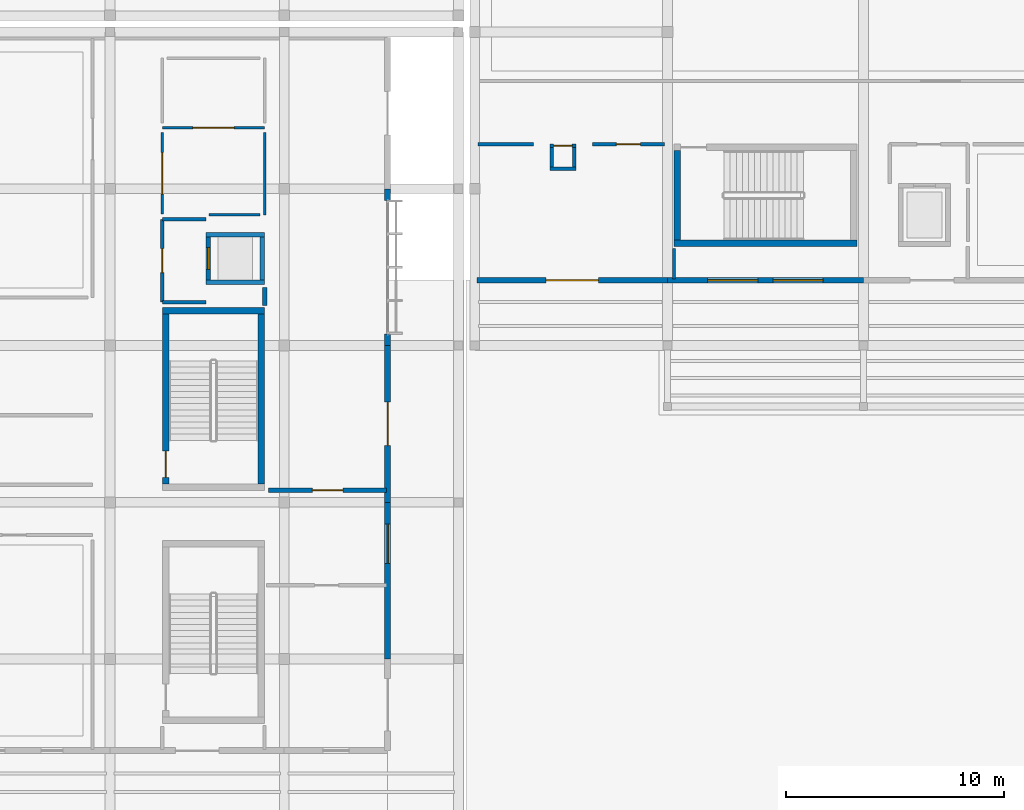
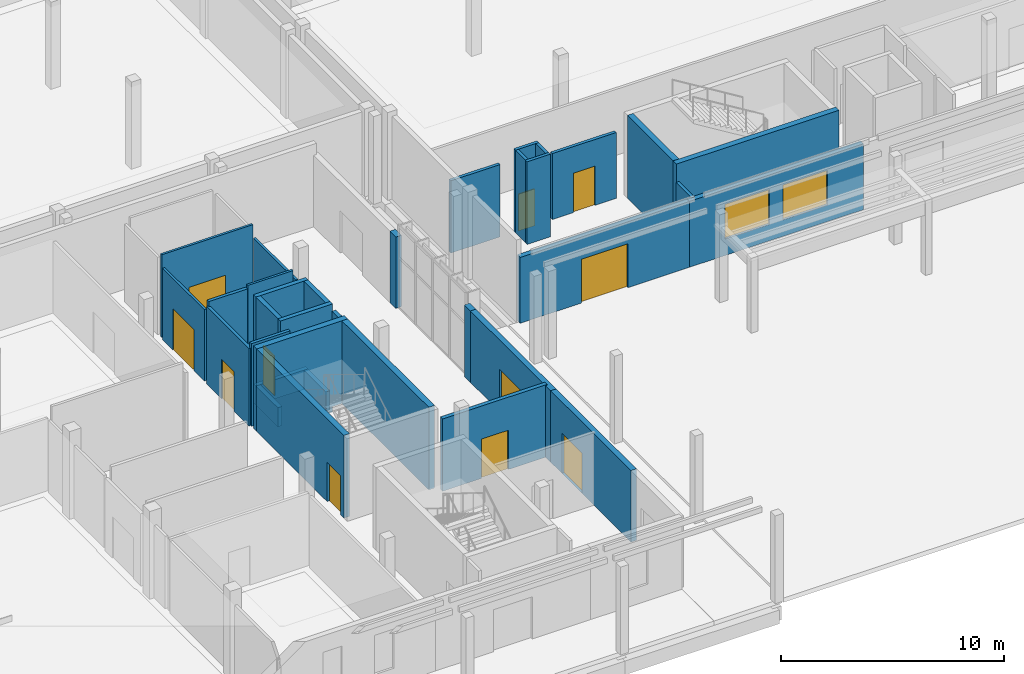
# One storey, part 116 of 151: 35 walls, 11 doors, 2 windows, 13 openings.
"""IFC4 building model written with IfcOpenShell, lengths in metres."""

from ifc_helpers import new_model, si_unit, direction, frame, frame_2d, origin, place, context, subcontext, project, spatial, rectangle, extrude, material, layer, layer_set, type_object, element, fill, save


model = new_model("IFC4")

# Units and contexts
model_context = context("Model", 3, precision=1e-05, world=origin(), true_north=direction((0.0, 1.0)))
body_context = subcontext(model_context, "Body", "Model", "MODEL_VIEW")
ifc_project = project(units=[si_unit("LENGTHUNIT", "METRE"), si_unit("AREAUNIT", "SQUARE_METRE"), si_unit("VOLUMEUNIT", "CUBIC_METRE"), si_unit("PLANEANGLEUNIT", "RADIAN"), si_unit("MASSUNIT", "GRAM", prefix="KILO")], contexts=[model_context])

# Site, building, storey
site_placement = place(None, origin())
site = spatial("IfcSite", under=ifc_project, at=site_placement, CompositionType="ELEMENT")
building_placement = place(site_placement, origin())
building = spatial("IfcBuilding", under=site, at=building_placement, Name="Chiffa Square Polytechnic", CompositionType="ELEMENT")
storey_placement = place(building_placement, origin())
storey = spatial("IfcBuildingStorey", under=building, at=storey_placement, Name="L00", CompositionType="ELEMENT", Elevation=0.0)

# Wall
ifc_material_1 = material(Name="Concrete C40/50", Category="concrete")
ifc_layer_1 = layer(ifc_material_1, 0.300048828125, Name="Concrete C40/50")
ifc_layer_set_1 = layer_set([ifc_layer_1], Name="Concrete C40/50")
wall_type_1 = type_object("IfcWallType", Name="WL-CORE-300", PredefinedType="SHEAR", material=ifc_layer_set_1)
wall_1_placement = place(storey_placement, frame((34.39990234375, 23.199951171875, 0.0), z_axis=(0.0, 0.0, 1.0), x_axis=(1.0, 0.0, 0.0)))
element("IfcWall", 1, at=wall_1_placement, inside=storey, type_object=wall_type_1, Name="Core or enclosure wall WC-CORE-V3B-L00-NORTH", PredefinedType="SHEAR", context=body_context, shape_type="SweptSolid", body=[
    extrude(rectangle(XDim=4.7001953125, YDim=0.300048828125, at=frame_2d((2.35009765625, 0.0))), origin(), (0.0, 0.0, 1.0), 4.52001953125),
])

# Wall, opening, door
wall_2_placement = place(storey_placement, frame((34.550048828125, 15.25, 0.0), z_axis=(0.0, 0.0, 1.0), x_axis=(0.0, 1.0, 0.0)))
wall_2 = element("IfcWall", 2, at=wall_2_placement, inside=storey, type_object=wall_type_1, Name="Core or enclosure wall WC-CORE-V3B-L00-WEST", PredefinedType="SHEAR", context=body_context, shape_type="SweptSolid", body=[
    extrude(rectangle(XDim=7.800048828125, YDim=0.300048828125, at=frame_2d((3.89990234375, 0.0))), origin(), (0.0, 0.0, 1.0), 4.52001953125),
])
opening_1_placement = place(wall_2_placement, frame((0.300048828125, 0.0, 0.0)))
opening_1 = element("IfcOpeningElement", 3, at=opening_1_placement, cuts=wall_2, Name="Opening DS-L00-024", PredefinedType="OPENING", context=body_context, shape_type="SweptSolid", body=[
    extrude(rectangle(XDim=1.199951171875, YDim=2.14990234375, at=frame_2d((0.60009765625, 1.074951171875))), frame((0.0, 0.16015625, 0.0), z_axis=(0.0, -1.0, 0.0), x_axis=(1.0, 0.0, 0.0)), (0.0, 0.0, 1.0), 0.320068359375),
])
ifc_material_2 = material(Name="Fire-rated painted steel leaf", Category="steel")
door_type_1 = type_object("IfcDoorType", Name="DR-STAIR-1200", OperationType="NOTDEFINED", PredefinedType="DOOR", material=ifc_material_2)
door_1_placement = place(opening_1_placement, origin())
door_1 = element("IfcDoor", 4, at=door_1_placement, inside=storey, type_object=door_type_1, Name="Enclosure door DS-L00-024", OperationType="SINGLE_SWING_RIGHT", OverallHeight=2.14990234375, OverallWidth=1.199951171875, PredefinedType="DOOR", context=body_context, shape_type="SweptSolid", body=[
    extrude(rectangle(XDim=1.199951171875, YDim=2.14990234375, at=frame_2d((0.60009765625, 1.074951171875))), frame((0.0, 0.02490234375, 0.0), z_axis=(0.0, -1.0, 0.0), x_axis=(1.0, 0.0, 0.0)), (0.0, 0.0, 1.0), 0.050048828125),
])
fill(opening_1, door_1)

# Walls
wall_3_placement = place(storey_placement, frame((38.949951171875, 15.25, 0.0), z_axis=(0.0, 0.0, 1.0), x_axis=(0.0, 1.0, 0.0)))
element("IfcWall", 5, at=wall_3_placement, inside=storey, type_object=wall_type_1, Name="Core or enclosure wall WC-CORE-V3B-L00-EAST", PredefinedType="SHEAR", context=body_context, shape_type="SweptSolid", body=[
    extrude(rectangle(XDim=7.800048828125, YDim=0.300048828125, at=frame_2d((3.89990234375, 0.0))), origin(), (0.0, 0.0, 1.0), 4.52001953125),
])
wall_4_placement = place(storey_placement, frame((57.89990234375, 26.300048828125, 0.0), z_axis=(0.0, 0.0, 1.0), x_axis=(1.0, 0.0, 0.0)))
element("IfcWall", 6, at=wall_4_placement, inside=storey, type_object=wall_type_1, Name="Core or enclosure wall WC-CORE-V4A-L00-SOUTH", PredefinedType="SHEAR", context=body_context, shape_type="SweptSolid", body=[
    extrude(rectangle(XDim=8.400146484375, YDim=0.300048828125, at=frame_2d((4.2001953125, 0.0))), origin(), (0.0, 0.0, 1.0), 4.52001953125),
])
wall_5_placement = place(storey_placement, frame((58.050048828125, 26.449951171875, 0.0), z_axis=(0.0, 0.0, 1.0), x_axis=(0.0, 1.0, 0.0)))
element("IfcWall", 7, at=wall_5_placement, inside=storey, type_object=wall_type_1, Name="Core or enclosure wall WC-CORE-V4A-L00-WEST", PredefinedType="SHEAR", context=body_context, shape_type="SweptSolid", body=[
    extrude(rectangle(XDim=4.10009765625, YDim=0.300048828125, at=frame_2d((2.050048828125, 0.0))), origin(), (0.0, 0.0, 1.0), 4.52001953125),
])

# Wall, opening, door
ifc_material_3 = material(Name="Precast concrete C40/50", Category="concrete")
ifc_layer_2 = layer(ifc_material_3, 0.260009765625, Name="Precast concrete C40/50")
ifc_layer_set_2 = layer_set([ifc_layer_2], Name="Precast concrete C40/50")
wall_type_2 = type_object("IfcWallType", Name="WL-EXT-PC260", PredefinedType="SOLIDWALL", material=ifc_layer_set_2)
wall_6_placement = place(storey_placement, frame((48.85009765625, 24.60009765625, 0.0), z_axis=(0.0, 0.0, 1.0), x_axis=(1.0, 0.0, 0.0)))
wall_6 = element("IfcWall", 8, at=wall_6_placement, inside=storey, type_object=wall_type_2, Name="Exterior wall WE-V4-L00-0185", PredefinedType="SOLIDWALL", context=body_context, shape_type="SweptSolid", body=[
    extrude(rectangle(XDim=8.75, YDim=0.260009765625, at=frame_2d((4.375, 0.0))), origin(), (0.0, 0.0, 1.0), 3.60498046875),
])
opening_2_placement = place(wall_6_placement, frame((3.175048828125, 0.0, 0.0)))
opening_2 = element("IfcOpeningElement", 9, at=opening_2_placement, cuts=wall_6, Name="Opening DE-L00-029", PredefinedType="OPENING", context=body_context, shape_type="SweptSolid", body=[
    extrude(rectangle(XDim=2.39990234375, YDim=2.39990234375, at=frame_2d((1.199951171875, 1.199951171875))), frame((0.0, 0.14013671875, 0.0), z_axis=(0.0, -1.0, 0.0), x_axis=(1.0, 0.0, 0.0)), (0.0, 0.0, 1.0), 0.280029296875),
])
ifc_material_4 = material(Name="Aluminium and laminated safety glass", Category="aluminium")
door_type_2 = type_object("IfcDoorType", Name="DR-EXIT-DBL-2400", OperationType="DOUBLE_DOOR_SINGLE_SWING", PredefinedType="DOOR", material=ifc_material_4)
door_2_placement = place(opening_2_placement, origin())
door_2 = element("IfcDoor", 10, at=door_2_placement, inside=storey, type_object=door_type_2, Name="Exterior door DE-L00-029", OperationType="DOUBLE_DOOR_SINGLE_SWING", OverallHeight=2.39990234375, OverallWidth=2.39990234375, PredefinedType="DOOR", context=body_context, shape_type="SweptSolid", body=[
    extrude(rectangle(XDim=2.39990234375, YDim=2.39990234375, at=frame_2d((1.199951171875, 1.199951171875))), frame((0.0, 0.02490234375, 0.0), z_axis=(0.0, -1.0, 0.0), x_axis=(1.0, 0.0, 0.0)), (0.0, 0.0, 1.0), 0.050048828125),
])
fill(opening_2, door_2)

# Wall, openings, windows
wall_7_placement = place(storey_placement, frame((57.60009765625, 24.60009765625, 0.0), z_axis=(0.0, 0.0, 1.0), x_axis=(1.0, 0.0, 0.0)))
wall_7 = element("IfcWall", 11, at=wall_7_placement, inside=storey, type_object=wall_type_2, Name="Exterior wall WE-V4-L00-0186", PredefinedType="SOLIDWALL", context=body_context, shape_type="SweptSolid", body=[
    extrude(rectangle(XDim=9.0, YDim=0.260009765625, at=frame_2d((4.5, 0.0))), origin(), (0.0, 0.0, 1.0), 3.60498046875),
])
opening_3_placement = place(wall_7_placement, frame((1.85009765625, 0.0, 0.89990234375)))
opening_3 = element("IfcOpeningElement", 12, at=opening_3_placement, cuts=wall_7, Name="Opening W-27", PredefinedType="OPENING", context=body_context, shape_type="SweptSolid", body=[
    extrude(rectangle(XDim=2.300048828125, YDim=1.89990234375, at=frame_2d((1.14990234375, 0.949951171875))), frame((0.0, 0.14013671875, 0.0), z_axis=(0.0, -1.0, 0.0), x_axis=(1.0, 0.0, 0.0)), (0.0, 0.0, 1.0), 0.280029296875),
])
opening_4_placement = place(wall_7_placement, frame((4.85009765625, 0.0, 0.89990234375)))
opening_4 = element("IfcOpeningElement", 13, at=opening_4_placement, cuts=wall_7, Name="Opening W-27", PredefinedType="OPENING", context=body_context, shape_type="SweptSolid", body=[
    extrude(rectangle(XDim=2.300048828125, YDim=1.89990234375, at=frame_2d((1.14990234375, 0.949951171875))), frame((0.0, 0.14013671875, 0.0), z_axis=(0.0, -1.0, 0.0), x_axis=(1.0, 0.0, 0.0)), (0.0, 0.0, 1.0), 0.280029296875),
])
ifc_material_5 = material(Name="Double glazing in thermally broken aluminium frame", Category="aluminium")
window_type = type_object("IfcWindowType", Name="WIN-REF-2300X1900", PartitioningType="DOUBLE_PANEL_VERTICAL", PredefinedType="WINDOW", material=ifc_material_5)
window_1_placement = place(opening_3_placement, origin())
window_1 = element("IfcWindow", 14, at=window_1_placement, inside=storey, type_object=window_type, Name="Facade window WN-L00-0136", OverallHeight=1.89990234375, OverallWidth=2.300048828125, PartitioningType="DOUBLE_PANEL_VERTICAL", PredefinedType="WINDOW", context=body_context, shape_type="SweptSolid", body=[
    extrude(rectangle(XDim=2.300048828125, YDim=1.89990234375, at=frame_2d((1.14990234375, 0.949951171875))), frame((0.0, 0.030029296875, 0.0), z_axis=(0.0, -1.0, 0.0), x_axis=(1.0, 0.0, 0.0)), (0.0, 0.0, 1.0), 0.06005859375),
])
fill(opening_3, window_1)
window_2_placement = place(opening_4_placement, origin())
window_2 = element("IfcWindow", 15, at=window_2_placement, inside=storey, type_object=window_type, Name="Facade window WN-L00-0137", OverallHeight=1.89990234375, OverallWidth=2.300048828125, PartitioningType="DOUBLE_PANEL_VERTICAL", PredefinedType="WINDOW", context=body_context, shape_type="SweptSolid", body=[
    extrude(rectangle(XDim=2.300048828125, YDim=1.89990234375, at=frame_2d((1.14990234375, 0.949951171875))), frame((0.0, 0.030029296875, 0.0), z_axis=(0.0, -1.0, 0.0), x_axis=(1.0, 0.0, 0.0)), (0.0, 0.0, 1.0), 0.06005859375),
])
fill(opening_4, window_2)

# Wall, opening, door
ifc_layer_3 = layer(ifc_material_3, 0.280029296875, Name="Precast concrete C40/50")
ifc_layer_set_3 = layer_set([ifc_layer_3], Name="Precast concrete C40/50")
wall_type_3 = type_object("IfcWallType", Name="WL-EXT-PC280", PredefinedType="SOLIDWALL", material=ifc_layer_set_3)
wall_8_placement = place(storey_placement, frame((44.75, 7.199951171875, 0.0), z_axis=(0.0, 0.0, 1.0), x_axis=(0.0, 1.0, 0.0)))
wall_8 = element("IfcWall", 16, at=wall_8_placement, inside=storey, type_object=wall_type_3, Name="Exterior wall WE-V3-L00-0138", PredefinedType="SOLIDWALL", context=body_context, shape_type="SweptSolid", body=[
    extrude(rectangle(XDim=7.199951171875, YDim=0.280029296875, at=frame_2d((3.60009765625, 0.0))), origin(), (0.0, 0.0, 1.0), 3.905029296875),
])
opening_5_placement = place(wall_8_placement, frame((4.39990234375, 0.0, 0.0)))
opening_5 = element("IfcOpeningElement", 17, at=opening_5_placement, cuts=wall_8, Name="Opening DE-L00-023", PredefinedType="OPENING", context=body_context, shape_type="SweptSolid", body=[
    extrude(rectangle(XDim=1.800048828125, YDim=2.199951171875, at=frame_2d((0.89990234375, 1.10009765625))), frame((0.0, 0.14990234375, 0.0), z_axis=(0.0, -1.0, 0.0), x_axis=(1.0, 0.0, 0.0)), (0.0, 0.0, 1.0), 0.300048828125),
])
ifc_material_6 = material(Name="Painted galvanized steel", Category="steel")
door_type_3 = type_object("IfcDoorType", Name="DR-EXIT-DBL-1800", OperationType="DOUBLE_DOOR_SINGLE_SWING", PredefinedType="DOOR", material=ifc_material_6)
door_3_placement = place(opening_5_placement, frame((1.800048828125, 0.0, 0.0), z_axis=(0.0, 0.0, 1.0), x_axis=(-1.0, 0.0, 0.0)))
door_3 = element("IfcDoor", 18, at=door_3_placement, inside=storey, type_object=door_type_3, Name="Exterior door DE-L00-023", OperationType="DOUBLE_DOOR_SINGLE_SWING", OverallHeight=2.199951171875, OverallWidth=1.800048828125, PredefinedType="DOOR", context=body_context, shape_type="SweptSolid", body=[
    extrude(rectangle(XDim=1.800048828125, YDim=2.199951171875, at=frame_2d((0.89990234375, 1.10009765625))), frame((0.0, 0.02490234375, 0.0), z_axis=(0.0, -1.0, 0.0), x_axis=(1.0, 0.0, 0.0)), (0.0, 0.0, 1.0), 0.050048828125),
])
fill(opening_5, door_3)

wall_9_placement = place(storey_placement, frame((44.75, 14.39990234375, 0.0), z_axis=(0.0, 0.0, 1.0), x_axis=(0.0, 1.0, 0.0)))
wall_9 = element("IfcWall", 19, at=wall_9_placement, inside=storey, type_object=wall_type_3, Name="Exterior wall WE-V3-L00-0139", PredefinedType="SOLIDWALL", context=body_context, shape_type="SweptSolid", body=[
    extrude(rectangle(XDim=7.2001953125, YDim=0.280029296875, at=frame_2d((3.60009765625, 0.0))), origin(), (0.0, 0.0, 1.0), 3.905029296875),
])
opening_6_placement = place(wall_9_placement, frame((2.60009765625, 0.0, 0.0)))
opening_6 = element("IfcOpeningElement", 20, at=opening_6_placement, cuts=wall_9, Name="Opening DE-L00-024", PredefinedType="OPENING", context=body_context, shape_type="SweptSolid", body=[
    extrude(rectangle(XDim=2.0, YDim=2.300048828125, at=frame_2d((1.0, 1.14990234375))), frame((0.0, 0.14990234375, 0.0), z_axis=(0.0, -1.0, 0.0), x_axis=(1.0, 0.0, 0.0)), (0.0, 0.0, 1.0), 0.300048828125),
])
door_type_4 = type_object("IfcDoorType", Name="DR-EXIT-DBL-2000", OperationType="DOUBLE_DOOR_SINGLE_SWING", PredefinedType="DOOR", material=ifc_material_4)
door_4_placement = place(opening_6_placement, origin())
door_4 = element("IfcDoor", 21, at=door_4_placement, inside=storey, type_object=door_type_4, Name="Exterior door DE-L00-024", OperationType="DOUBLE_DOOR_SINGLE_SWING", OverallHeight=2.300048828125, OverallWidth=2.0, PredefinedType="DOOR", context=body_context, shape_type="SweptSolid", body=[
    extrude(rectangle(XDim=2.0, YDim=2.300048828125, at=frame_2d((1.0, 1.14990234375))), frame((0.0, 0.02490234375, 0.0), z_axis=(0.0, -1.0, 0.0), x_axis=(1.0, 0.0, 0.0)), (0.0, 0.0, 1.0), 0.050048828125),
])
fill(opening_6, door_4)

# Walls
wall_10_placement = place(storey_placement, frame((44.75, 21.60009765625, 0.0), z_axis=(0.0, 0.0, 1.0), x_axis=(0.0, 1.0, 0.0)))
element("IfcWall", 22, at=wall_10_placement, inside=storey, type_object=wall_type_3, Name="Facade column pier V3-L00-0140L", PredefinedType="SOLIDWALL", context=body_context, shape_type="SweptSolid", body=[
    extrude(rectangle(XDim=0.539794921875, YDim=0.280029296875, at=frame_2d((0.27001953125, 0.0))), origin(), (0.0, 0.0, 1.0), 3.905029296875),
])
wall_11_placement = place(storey_placement, frame((44.75, 28.260009765625, 0.0), z_axis=(0.0, 0.0, 1.0), x_axis=(0.0, 1.0, 0.0)))
element("IfcWall", 23, at=wall_11_placement, inside=storey, type_object=wall_type_3, Name="Facade column pier V3-L00-0140R", PredefinedType="SOLIDWALL", context=body_context, shape_type="SweptSolid", body=[
    extrude(rectangle(XDim=0.5400390625, YDim=0.280029296875, at=frame_2d((0.27001953125, 0.0))), origin(), (0.0, 0.0, 1.0), 3.905029296875),
])

# Wall, opening, door
ifc_material_7 = material(Name="Autoclaved aerated concrete blockwork", Category="masonry")
ifc_layer_4 = layer(ifc_material_7, 0.199951171875, Name="Autoclaved aerated concrete blockwork")
ifc_layer_set_4 = layer_set([ifc_layer_4], Name="Autoclaved aerated concrete blockwork")
wall_type_4 = type_object("IfcWallType", Name="WL-PART-EI120-200", PredefinedType="PARTITIONING", material=ifc_layer_set_4)
wall_12_placement = place(storey_placement, frame((39.287109375, 14.949951171875, 0.0), z_axis=(0.0, 0.0, 1.0), x_axis=(1.0, 0.0, 0.0)))
wall_12 = element("IfcWall", 24, at=wall_12_placement, inside=storey, type_object=wall_type_4, Name="Interior partition WP-V3-L00-0140", PredefinedType="PARTITIONING", context=body_context, shape_type="SweptSolid", body=[
    extrude(rectangle(XDim=5.407958984375, YDim=0.199951171875, at=frame_2d((2.7041015625, 0.0))), origin(), (0.0, 0.0, 1.0), 3.955078125),
])
opening_7_placement = place(wall_12_placement, frame((2.00390625, 0.0, 0.0)))
opening_7 = element("IfcOpeningElement", 25, at=opening_7_placement, cuts=wall_12, Name="Opening DI-L00-090", PredefinedType="OPENING", context=body_context, shape_type="SweptSolid", body=[
    extrude(rectangle(XDim=1.39990234375, YDim=2.14990234375, at=frame_2d((0.699951171875, 1.074951171875))), frame((0.0, 0.10986328125, 0.0), z_axis=(0.0, -1.0, 0.0), x_axis=(1.0, 0.0, 0.0)), (0.0, 0.0, 1.0), 0.219970703125),
])
ifc_material_8 = material(Name="Louvred painted steel plant door", Category="steel")
door_type_5 = type_object("IfcDoorType", Name="DR-PLANT-1400", OperationType="DOUBLE_DOOR_SINGLE_SWING", PredefinedType="DOOR", material=ifc_material_8)
door_5_placement = place(opening_7_placement, origin())
door_5 = element("IfcDoor", 26, at=door_5_placement, inside=storey, type_object=door_type_5, Name="Interior room door DI-L00-090", OperationType="DOUBLE_DOOR_SINGLE_SWING", OverallHeight=2.14990234375, OverallWidth=1.39990234375, PredefinedType="DOOR", context=body_context, shape_type="SweptSolid", body=[
    extrude(rectangle(XDim=1.39990234375, YDim=2.14990234375, at=frame_2d((0.699951171875, 1.074951171875))), frame((0.0, 0.02490234375, 0.0), z_axis=(0.0, -1.0, 0.0), x_axis=(1.0, 0.0, 0.0)), (0.0, 0.0, 1.0), 0.050048828125),
])
fill(opening_7, door_5)

# Walls
wall_13_placement = place(storey_placement, frame((39.10009765625, 23.43994140625, 0.0), z_axis=(0.0, 0.0, 1.0), x_axis=(0.0, 1.0, 0.0)))
element("IfcWall", 27, at=wall_13_placement, inside=storey, type_object=wall_type_4, Name="Interior partition WP-V3-L00-0141", PredefinedType="PARTITIONING", context=body_context, shape_type="SweptSolid", body=[
    extrude(rectangle(XDim=0.830078125, YDim=0.199951171875, at=frame_2d((0.4150390625, 0.0))), origin(), (0.0, 0.0, 1.0), 4.235107421875),
])
ifc_material_9 = material(Name="Gypsum board on acoustic steel stud", Category="steel")
ifc_layer_5 = layer(ifc_material_9, 0.159912109375, Name="Gypsum board on acoustic steel stud")
ifc_layer_set_5 = layer_set([ifc_layer_5], Name="Gypsum board on acoustic steel stud")
wall_type_5 = type_object("IfcWallType", Name="WL-PART-EI60-160", PredefinedType="PARTITIONING", material=ifc_layer_set_5)
wall_14_placement = place(storey_placement, frame((52.199951171875, 29.72998046875, 0.0), z_axis=(0.0, 0.0, 1.0), x_axis=(1.0, 0.0, 0.0)))
element("IfcWall", 28, at=wall_14_placement, inside=storey, type_object=wall_type_5, Name="Core or enclosure wall WP-RSR-V4-W-L00-SOUTH", PredefinedType="PARTITIONING", context=body_context, shape_type="SweptSolid", body=[
    extrude(rectangle(XDim=1.199951171875, YDim=0.159912109375, at=frame_2d((0.60009765625, 0.0))), origin(), (0.0, 0.0, 1.0), 4.52001953125),
])

# Wall, opening, door
wall_15_placement = place(storey_placement, frame((52.199951171875, 30.77001953125, 0.0), z_axis=(0.0, 0.0, 1.0), x_axis=(1.0, 0.0, 0.0)))
wall_15 = element("IfcWall", 29, at=wall_15_placement, inside=storey, type_object=wall_type_5, Name="Core or enclosure wall WP-RSR-V4-W-L00-NORTH", PredefinedType="PARTITIONING", context=body_context, shape_type="SweptSolid", body=[
    extrude(rectangle(XDim=1.199951171875, YDim=0.159912109375, at=frame_2d((0.60009765625, 0.0))), origin(), (0.0, 0.0, 1.0), 4.52001953125),
])
opening_8_placement = place(wall_15_placement, frame((0.175048828125, 0.0, 0.0)))
opening_8 = element("IfcOpeningElement", 30, at=opening_8_placement, cuts=wall_15, Name="Opening DI-L00-R26", PredefinedType="OPENING", context=body_context, shape_type="SweptSolid", body=[
    extrude(rectangle(XDim=0.85009765625, YDim=2.02001953125, at=frame_2d((0.425048828125, 1.010009765625))), frame((0.0, 0.08984375, 0.0), z_axis=(0.0, -1.0, 0.0), x_axis=(1.0, 0.0, 0.0)), (0.0, 0.0, 1.0), 0.179931640625),
])
ifc_material_10 = material(Name="Fire-rated steel riser access door", Category="steel")
door_type_6 = type_object("IfcDoorType", Name="DR-RISER-850", OperationType="NOTDEFINED", PredefinedType="DOOR", material=ifc_material_10)
door_6_placement = place(opening_8_placement, origin())
door_6 = element("IfcDoor", 31, at=door_6_placement, inside=storey, type_object=door_type_6, Name="Enclosure door DI-L00-R26", OperationType="SINGLE_SWING_RIGHT", OverallHeight=2.02001953125, OverallWidth=0.85009765625, PredefinedType="DOOR", context=body_context, shape_type="SweptSolid", body=[
    extrude(rectangle(XDim=0.85009765625, YDim=2.02001953125, at=frame_2d((0.425048828125, 1.010009765625))), frame((0.0, 0.02490234375, 0.0), z_axis=(0.0, -1.0, 0.0), x_axis=(1.0, 0.0, 0.0)), (0.0, 0.0, 1.0), 0.050048828125),
])
fill(opening_8, door_6)

# Walls
for number, where, z_axis, x_axis, name in (
    (32, (52.280029296875, 29.81005859375, 0.0), (0.0, 0.0, 1.0), (0.0, 1.0, 0.0), "Core or enclosure wall WP-RSR-V4-W-L00-WEST"),
    (33, (53.320068359375, 29.81005859375, 0.0), (0.0, 0.0, 1.0), (0.0, 1.0, 0.0), "Core or enclosure wall WP-RSR-V4-W-L00-EAST"),
):
    element("IfcWall", number, at=place(storey_placement, frame(where, z_axis=z_axis, x_axis=x_axis)), inside=storey, type_object=wall_type_5, Name=name, PredefinedType="PARTITIONING", context=body_context, shape_type="SweptSolid", body=[
        extrude(rectangle(XDim=0.8798828125, YDim=0.159912109375, at=frame_2d((0.43994140625, 0.0))), origin(), (0.0, 0.0, 1.0), 4.52001953125),
    ])
for number, where, z_axis, x_axis, name in (
    (34, (34.39990234375, 23.60009765625, 0.0), (0.0, 0.0, 1.0), (1.0, 0.0, 0.0), "Lift lobby rated enclosure WP-LOB-LP-V3-L00-SOUTH"),
    (35, (34.39990234375, 27.39990234375, 0.0), (0.0, 0.0, 1.0), (1.0, 0.0, 0.0), "Lift lobby rated enclosure WP-LOB-LP-V3-L00-NORTH"),
):
    element("IfcWall", number, at=place(storey_placement, frame(where, z_axis=z_axis, x_axis=x_axis)), inside=storey, type_object=wall_type_5, Name=name, PredefinedType="PARTITIONING", context=body_context, shape_type="SweptSolid", body=[
        extrude(rectangle(XDim=2.0, YDim=0.159912109375, at=frame_2d((1.0, 0.0))), origin(), (0.0, 0.0, 1.0), 4.52001953125),
    ])

# Wall, opening, door
wall_16_placement = place(storey_placement, frame((34.39990234375, 23.60009765625, 0.0), z_axis=(0.0, 0.0, 1.0), x_axis=(0.0, 1.0, 0.0)))
wall_16 = element("IfcWall", 36, at=wall_16_placement, inside=storey, type_object=wall_type_5, Name="Lift lobby rated enclosure WP-LOB-LP-V3-L00-WEST", PredefinedType="PARTITIONING", context=body_context, shape_type="SweptSolid", body=[
    extrude(rectangle(XDim=3.7998046875, YDim=0.159912109375, at=frame_2d((1.89990234375, 0.0))), origin(), (0.0, 0.0, 1.0), 4.235107421875),
])
opening_9_placement = place(wall_16_placement, frame((1.35009765625, 0.0, 0.0)))
opening_9 = element("IfcOpeningElement", 37, at=opening_9_placement, cuts=wall_16, Name="Opening DI-L00-027", PredefinedType="OPENING", context=body_context, shape_type="SweptSolid", body=[
    extrude(rectangle(XDim=1.10009765625, YDim=2.14990234375, at=frame_2d((0.550048828125, 1.074951171875))), frame((0.0, 0.08984375, 0.0), z_axis=(0.0, -1.0, 0.0), x_axis=(1.0, 0.0, 0.0)), (0.0, 0.0, 1.0), 0.179931640625),
])
ifc_material_11 = material(Name="Solid core ash veneer door")
door_type_7 = type_object("IfcDoorType", Name="DR-INT-1100", OperationType="NOTDEFINED", PredefinedType="DOOR", material=ifc_material_11)
door_7_placement = place(opening_9_placement, origin())
door_7 = element("IfcDoor", 38, at=door_7_placement, inside=storey, type_object=door_type_7, Name="Lift lobby fire door DI-L00-027", OperationType="SINGLE_SWING_RIGHT", OverallHeight=2.14990234375, OverallWidth=1.10009765625, PredefinedType="DOOR", context=body_context, shape_type="SweptSolid", body=[
    extrude(rectangle(XDim=1.10009765625, YDim=2.14990234375, at=frame_2d((0.550048828125, 1.074951171875))), frame((0.0, 0.02490234375, 0.0), z_axis=(0.0, -1.0, 0.0), x_axis=(1.0, 0.0, 0.0)), (0.0, 0.0, 1.0), 0.050048828125),
])
fill(opening_9, door_7)

wall_17_placement = place(storey_placement, frame((54.14599609375, 30.85009765625, 0.0), z_axis=(0.0, 0.0, 1.0), x_axis=(1.0, 0.0, 0.0)))
wall_17 = element("IfcWall", 39, at=wall_17_placement, inside=storey, type_object=wall_type_5, Name="Interior partition WP-V4-L00-0126", PredefinedType="PARTITIONING", context=body_context, shape_type="SweptSolid", body=[
    extrude(rectangle(XDim=3.31298828125, YDim=0.159912109375, at=frame_2d((1.656494140625, 0.0))), origin(), (0.0, 0.0, 1.0), 3.60498046875),
])
opening_10_placement = place(wall_17_placement, frame((1.10693359375, 0.0, 0.0)))
opening_10 = element("IfcOpeningElement", 40, at=opening_10_placement, cuts=wall_17, Name="Opening DI-L00-085", PredefinedType="OPENING", context=body_context, shape_type="SweptSolid", body=[
    extrude(rectangle(XDim=1.10009765625, YDim=2.14990234375, at=frame_2d((0.550048828125, 1.074951171875))), frame((0.0, 0.08984375, 0.0), z_axis=(0.0, -1.0, 0.0), x_axis=(1.0, 0.0, 0.0)), (0.0, 0.0, 1.0), 0.179931640625),
])
door_8_placement = place(opening_10_placement, origin())
door_8 = element("IfcDoor", 41, at=door_8_placement, inside=storey, type_object=door_type_7, Name="Interior room door DI-L00-085", OperationType="SINGLE_SWING_RIGHT", OverallHeight=2.14990234375, OverallWidth=1.10009765625, PredefinedType="DOOR", context=body_context, shape_type="SweptSolid", body=[
    extrude(rectangle(XDim=1.10009765625, YDim=2.14990234375, at=frame_2d((0.550048828125, 1.074951171875))), frame((0.0, 0.02490234375, 0.0), z_axis=(0.0, -1.0, 0.0), x_axis=(1.0, 0.0, 0.0)), (0.0, 0.0, 1.0), 0.050048828125),
])
fill(opening_10, door_8)

# Walls
wall_18_placement = place(storey_placement, frame((48.905029296875, 30.85009765625, 0.0), z_axis=(0.0, 0.0, 1.0), x_axis=(1.0, 0.0, 0.0)))
element("IfcWall", 42, at=wall_18_placement, inside=storey, type_object=wall_type_5, Name="Interior partition WP-V4-L00-0127", PredefinedType="PARTITIONING", context=body_context, shape_type="SweptSolid", body=[
    extrude(rectangle(XDim=2.549072265625, YDim=0.159912109375, at=frame_2d((1.2744140625, 0.0))), origin(), (0.0, 0.0, 1.0), 3.955078125),
])
wall_19_placement = place(storey_placement, frame((57.89990234375, 24.655029296875, 0.0), z_axis=(0.0, 0.0, 1.0), x_axis=(0.0, 1.0, 0.0)))
element("IfcWall", 43, at=wall_19_placement, inside=storey, type_object=wall_type_5, Name="Interior partition WP-V4-L00-0128", PredefinedType="PARTITIONING", context=body_context, shape_type="SweptSolid", body=[
    extrude(rectangle(XDim=1.405029296875, YDim=0.159912109375, at=frame_2d((0.70263671875, 0.0))), origin(), (0.0, 0.0, 1.0), 3.60498046875),
])

# Wall, opening, door
ifc_material_12 = material(Name="Moisture-resistant board partition")
ifc_layer_6 = layer(ifc_material_12, 0.1201171875, Name="Moisture-resistant board partition")
ifc_layer_set_6 = layer_set([ifc_layer_6], Name="Moisture-resistant board partition")
wall_type_6 = type_object("IfcWallType", Name="WL-PART-WC-120", PredefinedType="PARTITIONING", material=ifc_layer_set_6)
wall_20_placement = place(storey_placement, frame((34.39990234375, 31.60009765625, 0.0), z_axis=(0.0, 0.0, 1.0), x_axis=(1.0, 0.0, 0.0)))
wall_20 = element("IfcWall", 44, at=wall_20_placement, inside=storey, type_object=wall_type_6, Name="Interior partition WP-V3-L00-0091", PredefinedType="PARTITIONING", context=body_context, shape_type="SweptSolid", body=[
    extrude(rectangle(XDim=4.7001953125, YDim=0.1201171875, at=frame_2d((2.35009765625, 0.0))), origin(), (0.0, 0.0, 1.0), 4.52001953125),
])
opening_11_placement = place(wall_20_placement, frame((1.39990234375, 0.0, 0.0)))
opening_11 = element("IfcOpeningElement", 45, at=opening_11_placement, cuts=wall_20, Name="Opening DI-L00-072", PredefinedType="OPENING", context=body_context, shape_type="SweptSolid", body=[
    extrude(rectangle(XDim=1.89990234375, YDim=2.25, at=frame_2d((0.949951171875, 1.125))), frame((0.0, 0.070068359375, 0.0), z_axis=(0.0, -1.0, 0.0), x_axis=(1.0, 0.0, 0.0)), (0.0, 0.0, 1.0), 0.14013671875),
])
ifc_material_13 = material(Name="Acoustic oak auditorium double door")
door_type_8 = type_object("IfcDoorType", Name="DR-LEC-DBL-1900", OperationType="DOUBLE_DOOR_SINGLE_SWING", PredefinedType="DOOR", material=ifc_material_13)
door_9_placement = place(opening_11_placement, origin())
door_9 = element("IfcDoor", 46, at=door_9_placement, inside=storey, type_object=door_type_8, Name="Interior room door DI-L00-072", OperationType="DOUBLE_DOOR_SINGLE_SWING", OverallHeight=2.25, OverallWidth=1.89990234375, PredefinedType="DOOR", context=body_context, shape_type="SweptSolid", body=[
    extrude(rectangle(XDim=1.89990234375, YDim=2.25, at=frame_2d((0.949951171875, 1.125))), frame((0.0, 0.02490234375, 0.0), z_axis=(0.0, -1.0, 0.0), x_axis=(1.0, 0.0, 0.0)), (0.0, 0.0, 1.0), 0.050048828125),
])
fill(opening_11, door_9)

# Walls
wall_21_placement = place(storey_placement, frame((39.10009765625, 27.60009765625, 0.0), z_axis=(0.0, 0.0, 1.0), x_axis=(0.0, 1.0, 0.0)))
element("IfcWall", 47, at=wall_21_placement, inside=storey, type_object=wall_type_6, Name="Interior partition WP-V3-L00-0102", PredefinedType="PARTITIONING", context=body_context, shape_type="SweptSolid", body=[
    extrude(rectangle(XDim=3.77978515625, YDim=0.1201171875, at=frame_2d((1.889892578125, 0.0))), origin(), (0.0, 0.0, 1.0), 3.905029296875),
])
wall_22_placement = place(storey_placement, frame((36.532958984375, 27.60009765625, 0.0), z_axis=(0.0, 0.0, 1.0), x_axis=(1.0, 0.0, 0.0)))
element("IfcWall", 48, at=wall_22_placement, inside=storey, type_object=wall_type_6, Name="Interior partition WP-V3-L00-0103", PredefinedType="PARTITIONING", context=body_context, shape_type="SweptSolid", body=[
    extrude(rectangle(XDim=2.346923828125, YDim=0.1201171875, at=frame_2d((1.17333984375, 0.0))), origin(), (0.0, 0.0, 1.0), 4.52001953125),
])

# Wall, opening, door
wall_23_placement = place(storey_placement, frame((34.39990234375, 27.639892578125, 0.0), z_axis=(0.0, 0.0, 1.0), x_axis=(0.0, 1.0, 0.0)))
wall_23 = element("IfcWall", 49, at=wall_23_placement, inside=storey, type_object=wall_type_6, Name="Interior partition WP-V3-L00-0104", PredefinedType="PARTITIONING", context=body_context, shape_type="SweptSolid", body=[
    extrude(rectangle(XDim=3.739990234375, YDim=0.1201171875, at=frame_2d((1.8701171875, 0.0))), origin(), (0.0, 0.0, 1.0), 3.905029296875),
])
opening_12_placement = place(wall_23_placement, frame((0.919921875, 0.0, 0.0)))
opening_12 = element("IfcOpeningElement", 50, at=opening_12_placement, cuts=wall_23, Name="Opening DI-L00-076", PredefinedType="OPENING", context=body_context, shape_type="SweptSolid", body=[
    extrude(rectangle(XDim=1.89990234375, YDim=2.25, at=frame_2d((0.949951171875, 1.125))), frame((0.0, 0.070068359375, 0.0), z_axis=(0.0, -1.0, 0.0), x_axis=(1.0, 0.0, 0.0)), (0.0, 0.0, 1.0), 0.14013671875),
])
door_10_placement = place(opening_12_placement, origin())
door_10 = element("IfcDoor", 51, at=door_10_placement, inside=storey, type_object=door_type_8, Name="Interior room door DI-L00-076", OperationType="DOUBLE_DOOR_SINGLE_SWING", OverallHeight=2.25, OverallWidth=1.89990234375, PredefinedType="DOOR", context=body_context, shape_type="SweptSolid", body=[
    extrude(rectangle(XDim=1.89990234375, YDim=2.25, at=frame_2d((0.949951171875, 1.125))), frame((0.0, 0.02490234375, 0.0), z_axis=(0.0, -1.0, 0.0), x_axis=(1.0, 0.0, 0.0)), (0.0, 0.0, 1.0), 0.050048828125),
])
fill(opening_12, door_10)

# Walls
ifc_material_14 = material(Name="Concrete C35/45", Category="concrete")
ifc_layer_7 = layer(ifc_material_14, 0.219970703125, Name="Concrete C35/45")
ifc_layer_set_7 = layer_set([ifc_layer_7], Name="Concrete C35/45")
wall_type_7 = type_object("IfcWallType", Name="WL-SHAFT-220", PredefinedType="SHEAR", material=ifc_layer_set_7)
for number, where, z_axis, x_axis, name in (
    (52, (36.39990234375, 24.510009765625, -1.39990234375), (0.0, 0.0, 1.0), (1.0, 0.0, 0.0), "Core or enclosure wall WS-PIT-LP-V3-L00-SOUTH"),
    (53, (36.39990234375, 26.68994140625, -1.39990234375), (0.0, 0.0, 1.0), (1.0, 0.0, 0.0), "Core or enclosure wall WS-PIT-LP-V3-L00-NORTH"),
):
    element("IfcWall", number, at=place(storey_placement, frame(where, z_axis=z_axis, x_axis=x_axis)), inside=storey, type_object=wall_type_7, Name=name, PredefinedType="SHEAR", context=body_context, shape_type="SweptSolid", body=[
        extrude(rectangle(XDim=2.7001953125, YDim=0.219970703125, at=frame_2d((1.35009765625, 0.0))), origin(), (0.0, 0.0, 1.0), 1.0498046875),
    ])
for number, where, z_axis, x_axis, name in (
    (54, (36.510009765625, 24.6201171875, -1.39990234375), (0.0, 0.0, 1.0), (0.0, 1.0, 0.0), "Core or enclosure wall WS-PIT-LP-V3-L00-WEST"),
    (55, (38.989990234375, 24.6201171875, -1.39990234375), (0.0, 0.0, 1.0), (0.0, 1.0, 0.0), "Core or enclosure wall WS-PIT-LP-V3-L00-EAST"),
):
    element("IfcWall", number, at=place(storey_placement, frame(where, z_axis=z_axis, x_axis=x_axis)), inside=storey, type_object=wall_type_7, Name=name, PredefinedType="SHEAR", context=body_context, shape_type="SweptSolid", body=[
        extrude(rectangle(XDim=1.9599609375, YDim=0.219970703125, at=frame_2d((0.97998046875, 0.0))), origin(), (0.0, 0.0, 1.0), 1.0498046875),
    ])
for number, where, z_axis, x_axis, name in (
    (56, (36.39990234375, 24.510009765625, 0.0), (0.0, 0.0, 1.0), (1.0, 0.0, 0.0), "Core or enclosure wall WS-LP-V3-L00-SOUTH"),
    (57, (36.39990234375, 26.68994140625, 0.0), (0.0, 0.0, 1.0), (1.0, 0.0, 0.0), "Core or enclosure wall WS-LP-V3-L00-NORTH"),
):
    element("IfcWall", number, at=place(storey_placement, frame(where, z_axis=z_axis, x_axis=x_axis)), inside=storey, type_object=wall_type_7, Name=name, PredefinedType="SHEAR", context=body_context, shape_type="SweptSolid", body=[
        extrude(rectangle(XDim=2.7001953125, YDim=0.219970703125, at=frame_2d((1.35009765625, 0.0))), origin(), (0.0, 0.0, 1.0), 4.52001953125),
    ])

# Wall, opening, door
wall_24_placement = place(storey_placement, frame((36.510009765625, 24.6201171875, 0.0), z_axis=(0.0, 0.0, 1.0), x_axis=(0.0, 1.0, 0.0)))
wall_24 = element("IfcWall", 58, at=wall_24_placement, inside=storey, type_object=wall_type_7, Name="Core or enclosure wall WS-LP-V3-L00-WEST", PredefinedType="SHEAR", context=body_context, shape_type="SweptSolid", body=[
    extrude(rectangle(XDim=1.9599609375, YDim=0.219970703125, at=frame_2d((0.97998046875, 0.0))), origin(), (0.0, 0.0, 1.0), 4.52001953125),
])
opening_13_placement = place(wall_24_placement, frame((0.47998046875, 0.0, 0.0)))
opening_13 = element("IfcOpeningElement", 59, at=opening_13_placement, cuts=wall_24, Name="Opening LD-LP-V3-L00", PredefinedType="OPENING", context=body_context, shape_type="SweptSolid", body=[
    extrude(rectangle(XDim=1.0, YDim=2.14990234375, at=frame_2d((0.5, 1.074951171875))), frame((0.0, 0.1201171875, 0.0), z_axis=(0.0, -1.0, 0.0), x_axis=(1.0, 0.0, 0.0)), (0.0, 0.0, 1.0), 0.239990234375),
])
ifc_material_15 = material(Name="Brushed stainless steel sliding landing door", Category="steel")
door_type_9 = type_object("IfcDoorType", Name="DR-LIFT-1000", OperationType="SLIDING_TO_RIGHT", PredefinedType="DOOR", material=ifc_material_15)
door_11_placement = place(opening_13_placement, origin())
door_11 = element("IfcDoor", 60, at=door_11_placement, inside=storey, type_object=door_type_9, Name="Enclosure door LD-LP-V3-L00", OperationType="SLIDING_TO_LEFT", OverallHeight=2.14990234375, OverallWidth=1.0, PredefinedType="DOOR", context=body_context, shape_type="SweptSolid", body=[
    extrude(rectangle(XDim=1.0, YDim=2.14990234375, at=frame_2d((0.5, 1.074951171875))), frame((0.0, 0.02490234375, 0.0), z_axis=(0.0, -1.0, 0.0), x_axis=(1.0, 0.0, 0.0)), (0.0, 0.0, 1.0), 0.050048828125),
])
fill(opening_13, door_11)

# Wall
wall_25_placement = place(storey_placement, frame((38.989990234375, 24.6201171875, 0.0), z_axis=(0.0, 0.0, 1.0), x_axis=(0.0, 1.0, 0.0)))
element("IfcWall", 61, at=wall_25_placement, inside=storey, type_object=wall_type_7, Name="Core or enclosure wall WS-LP-V3-L00-EAST", PredefinedType="SHEAR", context=body_context, shape_type="SweptSolid", body=[
    extrude(rectangle(XDim=1.9599609375, YDim=0.219970703125, at=frame_2d((0.97998046875, 0.0))), origin(), (0.0, 0.0, 1.0), 4.52001953125),
])

save(model, "model.ifc")
